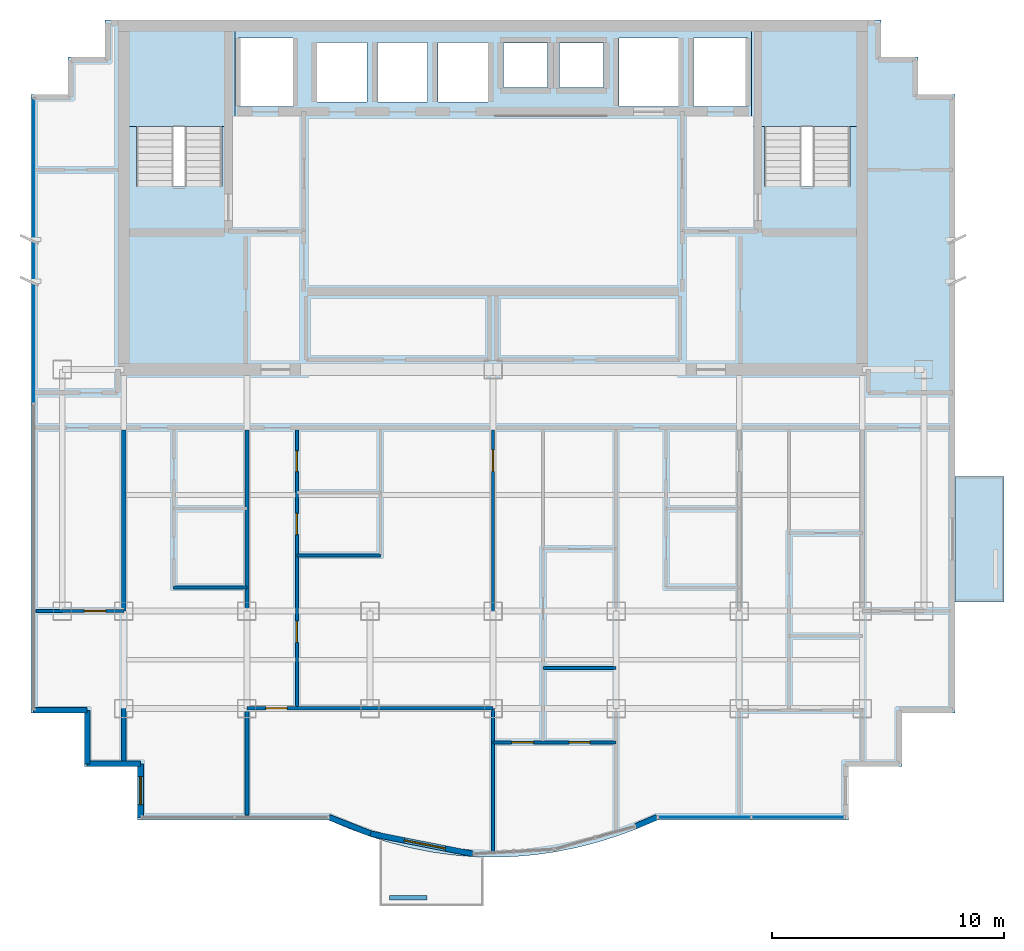
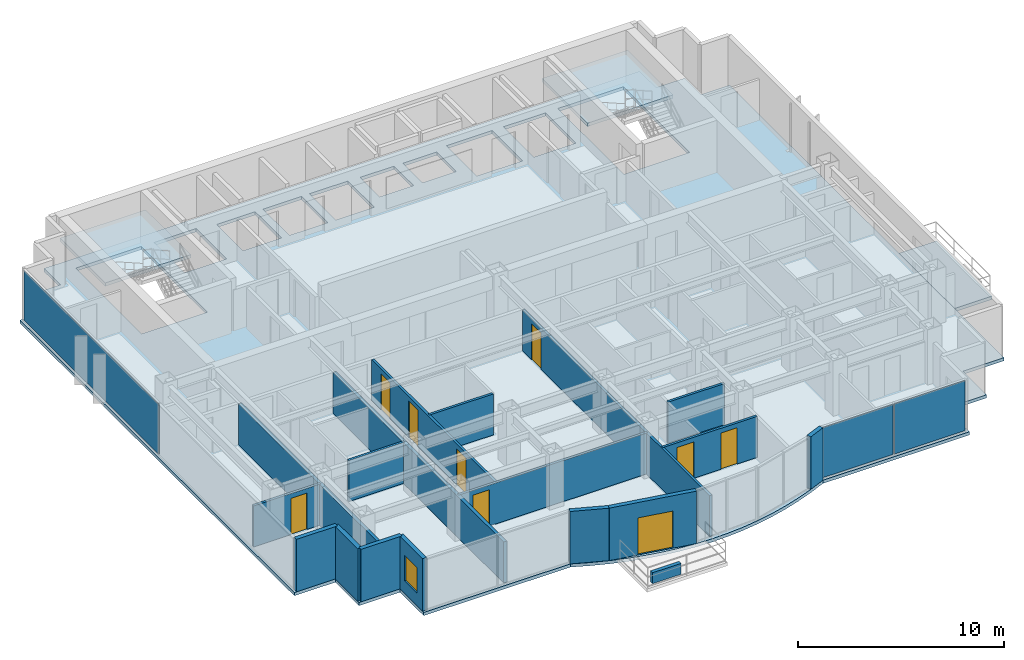
# One storey, part 6 of 11: 18 walls, 9 doors, 4 slabs, 3 plates, 1 window, 10 openings, 4 elements without a shape of their own.
"""IFC4 building model written with IfcOpenShell, lengths in metres."""

from ifc_helpers import new_model, si_unit, direction, frame, frame_2d, origin, origin_2d, place, context, subcontext, project, spatial, polyline, rectangle, outline, extrude, source, transform, mapped, material, layer, layer_set, type_object, element, fill, aggregate, save


model = new_model("IFC4")

# Units and contexts
model_context = context("Model", 3, precision=1e-05, world=origin(), true_north=direction((0.0, 1.0)))
body_context = subcontext(model_context, "Body", "Model", "MODEL_VIEW")
ifc_project = project(units=[si_unit("LENGTHUNIT", "METRE"), si_unit("AREAUNIT", "SQUARE_METRE"), si_unit("VOLUMEUNIT", "CUBIC_METRE"), si_unit("PLANEANGLEUNIT", "RADIAN"), si_unit("MASSUNIT", "GRAM", prefix="KILO")], contexts=[model_context])

# Site, building, storey
site_placement = place(None, origin())
site = spatial("IfcSite", under=ifc_project, at=site_placement, CompositionType="ELEMENT")
building_placement = place(site_placement, origin())
building = spatial("IfcBuilding", under=site, at=building_placement, Name="Qianlan Lanfeng Residences", CompositionType="ELEMENT")
storey_placement = place(building_placement, frame((0.0, 0.0, 203.300048828125)))
storey = spatial("IfcBuildingStorey", under=building, at=storey_placement, Name="L55", CompositionType="ELEMENT", Elevation=203.300048828125)

# Slabs
ifc_material_1 = material(Name="Concrete C42", Category="concrete")
ifc_layer_1 = layer(ifc_material_1, 0.199951171875)
ifc_layer_set_1 = layer_set([ifc_layer_1], Name="Concrete C42")
slab_type_1 = type_object("IfcSlabType", Name="S-BAL-200", PredefinedType="FLOOR", material=ifc_layer_set_1)
slab_1_placement = place(storey_placement, frame((0.0, 0.0, -0.199951171875)))
element("IfcSlab", 1, at=slab_1_placement, inside=storey, type_object=slab_type_1, Name="L55 Planted Tree Balcony Slab EB-S", PredefinedType="FLOOR", context=body_context, shape_type="SweptSolid", body=[
    extrude(outline(polyline([(46.39990234375, 20.60009765625), (46.39990234375, 15.199951171875), (48.5, 15.199951171875), (48.5, 20.60009765625), (46.39990234375, 20.60009765625)])), origin(), (0.0, 0.0, 1.0), 0.199951171875),
])
ifc_layer_2 = layer(ifc_material_1, 0.18994140625)
ifc_layer_set_2 = layer_set([ifc_layer_2], Name="Concrete C42")
slab_type_2 = type_object("IfcSlabType", Name="S-FL-190", PredefinedType="FLOOR", material=ifc_layer_set_2)
slab_2_placement = place(storey_placement, frame((0.0, 0.0, -0.18994140625)))
element("IfcSlab", 2, at=slab_2_placement, inside=storey, type_object=slab_type_2, Name="L55 Structural Floor Slab", PredefinedType="FLOOR", context=body_context, shape_type="SweptSolid", body=[
    extrude(outline(polyline([(6.60009765625, 10.39990234375), (8.89990234375, 10.39990234375), (8.89990234375, 8.10009765625), (11.199951171875, 8.10009765625), (11.199951171875, 5.800048828125), (19.419921875, 5.800048828125), (20.304931640625, 5.425048828125), (21.18994140625, 5.10009765625), (22.074951171875, 4.824951171875), (22.9599609375, 4.60009765625), (23.844970703125, 4.425048828125), (24.72998046875, 4.300048828125), (25.614990234375, 4.22509765625), (26.5, 4.199951171875), (27.385009765625, 4.22509765625), (28.27001953125, 4.300048828125), (29.155029296875, 4.425048828125), (30.0400390625, 4.60009765625), (30.925048828125, 4.824951171875), (31.81005859375, 5.10009765625), (32.695068359375, 5.425048828125), (33.580078125, 5.800048828125), (41.800048828125, 5.800048828125), (41.800048828125, 8.10009765625), (44.10009765625, 8.10009765625), (44.10009765625, 10.39990234375), (46.39990234375, 10.39990234375), (46.39990234375, 37.050048828125), (44.800048828125, 37.050048828125), (44.800048828125, 38.64990234375), (43.199951171875, 38.64990234375), (43.199951171875, 40.25), (9.800048828125, 40.25), (9.800048828125, 38.64990234375), (8.199951171875, 38.64990234375), (8.199951171875, 37.050048828125), (6.60009765625, 37.050048828125), (6.60009765625, 10.39990234375)]), holes=[polyline([(11.139892578125, 33.080078125), (11.139892578125, 39.5), (14.820068359375, 39.5), (14.820068359375, 33.080078125), (11.139892578125, 33.080078125)]), polyline([(38.179931640625, 33.080078125), (38.179931640625, 39.5), (41.860107421875, 39.5), (41.860107421875, 33.080078125), (38.179931640625, 33.080078125)]), polyline([(15.52001953125, 36.52001953125), (15.52001953125, 39.47998046875), (17.8798828125, 39.47998046875), (17.8798828125, 36.52001953125), (15.52001953125, 36.52001953125)]), polyline([(35.1201171875, 36.52001953125), (35.1201171875, 39.47998046875), (37.47998046875, 39.47998046875), (37.47998046875, 36.52001953125), (35.1201171875, 36.52001953125)]), polyline([(31.919921875, 36.52001953125), (31.919921875, 39.47998046875), (34.47998046875, 39.47998046875), (34.47998046875, 36.52001953125), (31.919921875, 36.52001953125)]), polyline([(18.919921875, 36.719970703125), (18.919921875, 39.280029296875), (21.080078125, 39.280029296875), (21.080078125, 36.719970703125), (18.919921875, 36.719970703125)]), polyline([(21.52001953125, 36.719970703125), (21.52001953125, 39.280029296875), (23.679931640625, 39.280029296875), (23.679931640625, 36.719970703125), (21.52001953125, 36.719970703125)]), polyline([(24.1201171875, 36.719970703125), (24.1201171875, 39.280029296875), (26.280029296875, 39.280029296875), (26.280029296875, 36.719970703125), (24.1201171875, 36.719970703125)]), polyline([(26.949951171875, 37.35009765625), (26.949951171875, 39.25), (28.85009765625, 39.25), (28.85009765625, 37.35009765625), (26.949951171875, 37.35009765625)]), polyline([(29.35009765625, 37.35009765625), (29.35009765625, 39.25), (31.25, 39.25), (31.25, 37.35009765625), (29.35009765625, 37.35009765625)])]), origin(), (0.0, 0.0, 1.0), 0.18994140625),
])

# Stair, slab
stair_type = type_object("IfcStairType", Name="STR-MAIN", PredefinedType="HALF_TURN_STAIR", material=ifc_material_1)
stair_1_placement = place(storey_placement, origin())
stair_1 = element("IfcStair", 3, at=stair_1_placement, inside=storey, type_object=stair_type, Name="L55 Exit Stair ST-1", PredefinedType="HALF_TURN_STAIR")
ifc_layer_3 = layer(ifc_material_1, 0.179931640625)
ifc_layer_set_3 = layer_set([ifc_layer_3], Name="Concrete C42")
slab_type_3 = type_object("IfcSlabType", Name="S-LND-180", PredefinedType="LANDING", material=ifc_layer_set_3)
slab_3_placement = place(storey_placement, frame((0.0, 0.0, 1.449951171875)))
slab_3 = element("IfcSlab", 4, at=slab_3_placement, type_object=slab_type_3, Name="ST-1 landing 1", PredefinedType="LANDING", context=body_context, shape_type="SweptSolid", body=[
    extrude(outline(polyline([(10.580078125, 35.659912109375), (15.3798828125, 35.659912109375), (15.3798828125, 40.050048828125), (10.580078125, 40.050048828125), (10.580078125, 35.659912109375)])), origin(), (0.0, 0.0, 1.0), 0.199951171875),
])
aggregate(stair_1, [slab_3])

stair_2_placement = place(storey_placement, origin())
stair_2 = element("IfcStair", 5, at=stair_2_placement, inside=storey, type_object=stair_type, Name="L55 Exit Stair ST-2", PredefinedType="HALF_TURN_STAIR")
slab_4_placement = place(storey_placement, frame((0.0, 0.0, 1.449951171875)))
slab_4 = element("IfcSlab", 6, at=slab_4_placement, type_object=slab_type_3, Name="ST-2 landing 1", PredefinedType="LANDING", context=body_context, shape_type="SweptSolid", body=[
    extrude(outline(polyline([(37.6201171875, 35.659912109375), (42.419921875, 35.659912109375), (42.419921875, 40.050048828125), (37.6201171875, 40.050048828125), (37.6201171875, 35.659912109375)])), origin(), (0.0, 0.0, 1.0), 0.199951171875),
])
aggregate(stair_2, [slab_4])

# Curtain wall, plate
ifc_material_2 = material(Name="Anodised Bronze Aluminium 6063-T6", Category="aluminium")
ifc_layer_4 = layer(ifc_material_2, 0.219970703125)
ifc_layer_set_4 = layer_set([ifc_layer_4], Name="Anodised Bronze Aluminium 6063-T6")
curtain_wall_type = type_object("IfcCurtainWallType", Name="CW-05", PredefinedType="NOTDEFINED", material=ifc_layer_set_4)
curtain_wall_1_placement = place(storey_placement, origin())
curtain_wall_1 = element("IfcCurtainWall", 7, at=curtain_wall_1_placement, inside=storey, type_object=curtain_wall_type, Name="L55 Unitised Curtain Wall CWR-L55-04 (CW-05)", PredefinedType="NOTDEFINED")
ifc_material_3 = material(Name="Dark Bronze Tinted Insulated Glass", Category="glass")
ifc_layer_5 = layer(ifc_material_3, 0.0380859375)
ifc_layer_set_5 = layer_set([ifc_layer_5], Name="Dark Bronze Tinted Insulated Glass")
plate_type_1 = type_object("IfcPlateType", Name="PNL-GLZ-BRZ", PredefinedType="CURTAIN_PANEL", material=ifc_layer_set_5)
shared_shape_1 = source(origin(), body_context, "Body", "SweptSolid", [
    extrude(rectangle(XDim=3.951416015625, YDim=0.0380859375, at=origin_2d()), origin(), (0.0, 0.0, 1.0), 2.9619140625),
])
plate_1_placement = place(storey_placement, frame((35.605712890625, 5.919921875, 0.073974609375), z_axis=(0.0, 0.0, 1.0), x_axis=(1.0, 0.0, 0.0)))
plate_1 = element("IfcPlate", 8, at=plate_1_placement, type_object=plate_type_1, Name="CWR-L55-04 Curtain Panel 1", PredefinedType="CURTAIN_PANEL", context=body_context, shape_type="MappedRepresentation", body=[
    mapped(shared_shape_1, transform((0.0, 0.0, 0.0), scale=1.0)),
])

curtain_wall_2_placement = place(storey_placement, origin())
curtain_wall_2 = element("IfcCurtainWall", 9, at=curtain_wall_2_placement, inside=storey, type_object=curtain_wall_type, Name="L55 Unitised Curtain Wall CWR-L55-05 (CW-05)", PredefinedType="NOTDEFINED")
shared_shape_2 = source(origin(), body_context, "Body", "SweptSolid", [
    extrude(rectangle(XDim=13.094482421875, YDim=0.0380859375, at=origin_2d()), origin(), (0.0, 0.0, 1.0), 2.9619140625),
])
plate_2_placement = place(storey_placement, frame((6.719970703125, 30.30859375, 0.073974609375), z_axis=(0.0, 0.0, 1.0), x_axis=(0.0, -1.0, 0.0)))
plate_2 = element("IfcPlate", 10, at=plate_2_placement, type_object=plate_type_1, Name="CWR-L55-05 Curtain Panel 1", PredefinedType="CURTAIN_PANEL", context=body_context, shape_type="MappedRepresentation", body=[
    mapped(shared_shape_2, transform((0.0, 0.0, 0.0), scale=1.0)),
])
aggregate(curtain_wall_2, [plate_2])

# Plate
ifc_material_4 = material(Name="Perforated Anodised Bronze Aluminium Panel", Category="aluminium")
ifc_layer_6 = layer(ifc_material_4, 0.0419921875)
ifc_layer_set_6 = layer_set([ifc_layer_6], Name="Perforated Anodised Bronze Aluminium Panel")
plate_type_2 = type_object("IfcPlateType", Name="PNL-PRF-BRZ", PredefinedType="CURTAIN_PANEL", material=ifc_layer_set_6)
shared_shape_3 = source(origin(), body_context, "Body", "SweptSolid", [
    extrude(rectangle(XDim=3.951416015625, YDim=0.0419921875, at=origin_2d()), origin(), (0.0, 0.0, 1.0), 2.9619140625),
])
plate_3_placement = place(storey_placement, frame((39.630126953125, 5.919921875, 0.073974609375), z_axis=(0.0, 0.0, 1.0), x_axis=(1.0, 0.0, 0.0)))
plate_3 = element("IfcPlate", 11, at=plate_3_placement, type_object=plate_type_2, Name="CWR-L55-04 Curtain Panel 2", PredefinedType="CURTAIN_PANEL", context=body_context, shape_type="MappedRepresentation", body=[
    mapped(shared_shape_3, transform((0.0, 0.0, 0.0), scale=1.0)),
])

aggregate(curtain_wall_1, [plate_1, plate_3])

# Walls
ifc_layer_7 = layer(ifc_material_1, 0.239990234375)
ifc_layer_set_7 = layer_set([ifc_layer_7], Name="Concrete C42")
wall_type_1 = type_object("IfcWallType", Name="EW-240", PredefinedType="SOLIDWALL", material=ifc_layer_set_7)
for number, where, z_axis, x_axis, name in (
    (12, (6.719970703125, 10.52001953125, 0.0), (0.0, 0.0, 1.0), (1.0, 0.0, 0.0), "L55 Exterior Facade Spandrel Wall 1"),
    (13, (9.02001953125, 10.52001953125, 0.0), (0.0, 0.0, 1.0), (0.0, -1.0, 0.0), "L55 Exterior Facade Spandrel Wall 2"),
    (14, (9.02001953125, 8.219970703125, 0.0), (0.0, 0.0, 1.0), (1.0, 0.0, 0.0), "L55 Exterior Facade Spandrel Wall 3"),
):
    element("IfcWall", number, at=place(storey_placement, frame(where, z_axis=z_axis, x_axis=x_axis)), inside=storey, type_object=wall_type_1, Name=name, PredefinedType="SOLIDWALL", context=body_context, shape_type="SweptSolid", body=[
        extrude(rectangle(XDim=2.300048828125, YDim=0.239990234375, at=frame_2d((1.14990234375, 0.0))), origin(), (0.0, 0.0, 1.0), 3.10986328125),
    ])

# Wall, opening, window
wall_1_placement = place(storey_placement, frame((11.320068359375, 8.219970703125, 0.0), z_axis=(0.0, 0.0, 1.0), x_axis=(0.0, -1.0, 0.0)))
wall_1 = element("IfcWall", 15, at=wall_1_placement, inside=storey, type_object=wall_type_1, Name="L55 Exterior Facade Spandrel Wall 4", PredefinedType="SOLIDWALL", context=body_context, shape_type="SweptSolid", body=[
    extrude(rectangle(XDim=2.300048828125, YDim=0.239990234375, at=frame_2d((1.14990234375, 0.0))), origin(), (0.0, 0.0, 1.0), 3.10986328125),
])
opening_1_placement = place(wall_1_placement, frame((0.550048828125, 0.0, 0.75)))
opening_1 = element("IfcOpeningElement", 16, at=opening_1_placement, cuts=wall_1, Name="Opening W-03", PredefinedType="OPENING", context=body_context, shape_type="SweptSolid", body=[
    extrude(rectangle(XDim=1.199951171875, YDim=1.5, at=frame_2d((0.60009765625, 0.75))), frame((0.0, 0.1298828125, 0.0), z_axis=(0.0, -1.0, 0.0), x_axis=(1.0, 0.0, 0.0)), (0.0, 0.0, 1.0), 0.260009765625),
])
ifc_material_5 = material(Name="Anodised Bronze Aluminium Framed Double Glazing", Category="aluminium")
window_type = type_object("IfcWindowType", Name="W-03", PartitioningType="SINGLE_PANEL", PredefinedType="WINDOW", material=ifc_material_5)
window_placement = place(opening_1_placement, origin())
window = element("IfcWindow", 17, at=window_placement, inside=storey, type_object=window_type, Name="L55 Facade Punched Window W-03", OverallHeight=1.5, OverallWidth=1.199951171875, PartitioningType="SINGLE_PANEL", PredefinedType="WINDOW", context=body_context, shape_type="SweptSolid", body=[
    extrude(rectangle(XDim=1.199951171875, YDim=1.5, at=frame_2d((0.60009765625, 0.75))), frame((0.0, 0.030029296875, 0.0), z_axis=(0.0, -1.0, 0.0), x_axis=(1.0, 0.0, 0.0)), (0.0, 0.0, 1.0), 0.06005859375),
])
fill(opening_1, window)

# Wall
wall_2_placement = place(storey_placement, frame((19.444091796875, 5.919921875, 0.0), z_axis=(0.0, 0.0, 1.0), x_axis=(0.92993442177, -0.367725401906, 0.0)))
element("IfcWall", 18, at=wall_2_placement, inside=storey, type_object=wall_type_1, Name="L55 Exterior Facade Spandrel Wall 5", PredefinedType="SOLIDWALL", context=body_context, shape_type="SweptSolid", body=[
    extrude(rectangle(XDim=1.91943359375, YDim=0.239990234375, at=frame_2d((0.959716796875, 0.0))), origin(), (0.0, 0.0, 1.0), 3.10986328125),
])

# Wall, opening, door
wall_3_placement = place(storey_placement, frame((21.22900390625, 5.214111328125, 0.0), z_axis=(0.0, 0.0, 1.0), x_axis=(0.980985349685, -0.194081796425, 0.0)))
wall_3 = element("IfcWall", 19, at=wall_3_placement, inside=storey, type_object=wall_type_1, Name="L55 Terrace/Balcony Access Exterior Wall 6", PredefinedType="SOLIDWALL", context=body_context, shape_type="SweptSolid", body=[
    extrude(rectangle(XDim=4.478271484375, YDim=0.239990234375, at=frame_2d((2.2392578125, 0.0))), origin(), (0.0, 0.0, 1.0), 3.10986328125),
])
opening_2_placement = place(wall_3_placement, frame((1.472900390625, 0.0, 0.0)))
opening_2 = element("IfcOpeningElement", 20, at=opening_2_placement, cuts=wall_3, Name="Opening L55-D-SB-C", PredefinedType="OPENING", context=body_context, shape_type="SweptSolid", body=[
    extrude(rectangle(XDim=1.800048828125, YDim=2.199951171875, at=frame_2d((0.89990234375, 1.10009765625))), frame((0.0, 0.1298828125, 0.0), z_axis=(0.0, -1.0, 0.0), x_axis=(1.0, 0.0, 0.0)), (0.0, 0.0, 1.0), 0.260009765625),
])
ifc_material_6 = material(Name="Anodised Bronze Aluminium Framed Glass", Category="aluminium")
door_type_1 = type_object("IfcDoorType", Name="DT-BAL1", OperationType="NOTDEFINED", PredefinedType="DOOR", material=ifc_material_6)
door_1_placement = place(opening_2_placement, frame((1.800048828125, 0.0, 0.0), z_axis=(0.0, 0.0, 1.0), x_axis=(-1.0, 0.0, 0.0)))
door_1 = element("IfcDoor", 21, at=door_1_placement, inside=storey, type_object=door_type_1, Name="L55 Exterior Access Door SB-C", OperationType="DOUBLE_DOOR_SLIDING", OverallHeight=2.199951171875, OverallWidth=1.800048828125, PredefinedType="DOOR", context=body_context, shape_type="SweptSolid", body=[
    extrude(rectangle(XDim=1.800048828125, YDim=2.199951171875, at=frame_2d((0.89990234375, 1.10009765625))), frame((0.0, 0.02490234375, 0.0), z_axis=(0.0, -1.0, 0.0), x_axis=(1.0, 0.0, 0.0)), (0.0, 0.0, 1.0), 0.050048828125),
])
fill(opening_2, door_1)

# Walls
wall_4_placement = place(storey_placement, frame((32.65087890625, 5.537109375, 0.0), z_axis=(0.0, 0.0, 1.0), x_axis=(0.920998109395, 0.389567044924, 0.0)))
element("IfcWall", 22, at=wall_4_placement, inside=storey, type_object=wall_type_1, Name="L55 Exterior Facade Spandrel Wall 7", PredefinedType="SOLIDWALL", context=body_context, shape_type="SweptSolid", body=[
    extrude(rectangle(XDim=0.982666015625, YDim=0.239990234375, at=frame_2d((0.4912109375, 0.0))), origin(), (0.0, 0.0, 1.0), 3.10986328125),
])
ifc_layer_8 = layer(ifc_material_1, 0.199951171875)
ifc_layer_set_8 = layer_set([ifc_layer_8], Name="Concrete C42")
wall_type_2 = type_object("IfcWallType", Name="PL-TREE-200", PredefinedType="PARAPET", material=ifc_layer_set_8)
wall_5_placement = place(storey_placement, frame((22.050048828125, 2.449951171875, 0.0), z_axis=(0.0, 0.0, 1.0), x_axis=(1.0, 0.0, 0.0)))
element("IfcWall", 23, at=wall_5_placement, inside=storey, type_object=wall_type_2, Name="L55 Balcony Tree Planter Curb SB-C", PredefinedType="PARAPET", context=body_context, shape_type="SweptSolid", body=[
    extrude(rectangle(XDim=1.599853515625, YDim=0.199951171875, at=frame_2d((0.7998046875, 0.0))), origin(), (0.0, 0.0, 1.0), 0.64990234375),
])
ifc_material_7 = material(Name="Moisture-Resistant Gypsum Partition 135 mm")
ifc_layer_9 = layer(ifc_material_7, 0.135009765625)
ifc_layer_set_9 = layer_set([ifc_layer_9], Name="Moisture-Resistant Gypsum Partition 135 mm")
wall_type_3 = type_object("IfcWallType", Name="PW-135", PredefinedType="PARTITIONING", material=ifc_layer_set_9)
wall_6_placement = place(storey_placement, frame((12.75, 15.820068359375, 0.0), z_axis=(0.0, 0.0, 1.0), x_axis=(1.0, 0.0, 0.0)))
element("IfcWall", 24, at=wall_6_placement, inside=storey, type_object=wall_type_3, Name="L55 U01 Kitchen South Wall", PredefinedType="PARTITIONING", context=body_context, shape_type="SweptSolid", body=[
    extrude(rectangle(XDim=3.14990234375, YDim=0.135009765625, at=frame_2d((1.574951171875, 0.0))), origin(), (0.0, 0.0, 1.0), 2.429931640625),
])

# Wall, opening, door
wall_7_placement = place(storey_placement, frame((26.5, 4.419921875, 0.0), z_axis=(0.0, 0.0, 1.0), x_axis=(0.0, 1.0, 0.0)))
wall_7 = element("IfcWall", 25, at=wall_7_placement, inside=storey, type_object=wall_type_3, Name="L55 U02 Bay Spine Wall 1", PredefinedType="PARTITIONING", context=body_context, shape_type="SweptSolid", body=[
    extrude(rectangle(XDim=18.18017578125, YDim=0.135009765625, at=frame_2d((9.090087890625, 0.0))), origin(), (0.0, 0.0, 1.0), 2.429931640625),
])
opening_3_placement = place(wall_7_placement, frame((16.39501953125, 0.0, 0.0)))
opening_3 = element("IfcOpeningElement", 26, at=opening_3_placement, cuts=wall_7, Name="Opening L55-D19", PredefinedType="OPENING", context=body_context, shape_type="SweptSolid", body=[
    extrude(rectangle(XDim=0.919921875, YDim=2.14990234375, at=frame_2d((0.4599609375, 1.074951171875))), frame((0.0, 0.07763671875, 0.0), z_axis=(0.0, -1.0, 0.0), x_axis=(1.0, 0.0, 0.0)), (0.0, 0.0, 1.0), 0.155029296875),
])
ifc_material_8 = material(Name="Glazed Timber Kitchen/Study Door", Category="wood")
door_type_2 = type_object("IfcDoorType", Name="DT-INT", OperationType="NOTDEFINED", PredefinedType="DOOR", material=ifc_material_8)
door_2_placement = place(opening_3_placement, origin())
door_2 = element("IfcDoor", 27, at=door_2_placement, inside=storey, type_object=door_type_2, Name="L55 U02 Internal Hall Door L55-D19 (DT-INT)", OperationType="SINGLE_SWING_LEFT", OverallHeight=2.14990234375, OverallWidth=0.919921875, PredefinedType="DOOR", context=body_context, shape_type="SweptSolid", body=[
    extrude(rectangle(XDim=0.919921875, YDim=2.14990234375, at=frame_2d((0.4599609375, 1.074951171875))), frame((0.0, 0.02490234375, 0.0), z_axis=(0.0, -1.0, 0.0), x_axis=(1.0, 0.0, 0.0)), (0.0, 0.0, 1.0), 0.050048828125),
])
fill(opening_3, door_2)

wall_8_placement = place(storey_placement, frame((15.89990234375, 10.614013671875, 0.0), z_axis=(0.0, 0.0, 1.0), x_axis=(1.0, 0.0, 0.0)))
wall_8 = element("IfcWall", 28, at=wall_8_placement, inside=storey, type_object=wall_type_3, Name="L55 U02 Living Divider", PredefinedType="PARTITIONING", context=body_context, shape_type="SweptSolid", body=[
    extrude(rectangle(XDim=10.60009765625, YDim=0.135009765625, at=frame_2d((5.300048828125, 0.0))), origin(), (0.0, 0.0, 1.0), 2.429931640625),
])
opening_4_placement = place(wall_8_placement, frame((0.81494140625, 0.0, 0.0)))
opening_4 = element("IfcOpeningElement", 29, at=opening_4_placement, cuts=wall_8, Name="Opening L55-D20", PredefinedType="OPENING", context=body_context, shape_type="SweptSolid", body=[
    extrude(rectangle(XDim=0.919921875, YDim=2.14990234375, at=frame_2d((0.4599609375, 1.074951171875))), frame((0.0, 0.07763671875, 0.0), z_axis=(0.0, -1.0, 0.0), x_axis=(1.0, 0.0, 0.0)), (0.0, 0.0, 1.0), 0.155029296875),
])
door_3_placement = place(opening_4_placement, origin())
door_3 = element("IfcDoor", 30, at=door_3_placement, inside=storey, type_object=door_type_2, Name="L55 U02 Living Passage Door L55-D20 (DT-INT)", OperationType="SINGLE_SWING_RIGHT", OverallHeight=2.14990234375, OverallWidth=0.919921875, PredefinedType="DOOR", context=body_context, shape_type="SweptSolid", body=[
    extrude(rectangle(XDim=0.919921875, YDim=2.14990234375, at=frame_2d((0.4599609375, 1.074951171875))), frame((0.0, 0.02490234375, 0.0), z_axis=(0.0, -1.0, 0.0), x_axis=(1.0, 0.0, 0.0)), (0.0, 0.0, 1.0), 0.050048828125),
])
fill(opening_4, door_3)

# Wall, openings, doors
wall_9_placement = place(storey_placement, frame((18.050048828125, 10.614013671875, 0.0), z_axis=(0.0, 0.0, 1.0), x_axis=(0.0, 1.0, 0.0)))
wall_9 = element("IfcWall", 31, at=wall_9_placement, inside=storey, type_object=wall_type_3, Name="L55 U02 Entry Hall Spine", PredefinedType="PARTITIONING", context=body_context, shape_type="SweptSolid", body=[
    extrude(rectangle(XDim=11.986083984375, YDim=0.135009765625, at=frame_2d((5.9931640625, 0.0))), origin(), (0.0, 0.0, 1.0), 2.429931640625),
])
opening_5_placement = place(wall_9_placement, frame((2.8330078125, 0.0, 0.0)))
opening_5 = element("IfcOpeningElement", 32, at=opening_5_placement, cuts=wall_9, Name="Opening L55-D21", PredefinedType="OPENING", context=body_context, shape_type="SweptSolid", body=[
    extrude(rectangle(XDim=0.919921875, YDim=2.14990234375, at=frame_2d((0.4599609375, 1.074951171875))), frame((0.0, 0.07763671875, 0.0), z_axis=(0.0, -1.0, 0.0), x_axis=(1.0, 0.0, 0.0)), (0.0, 0.0, 1.0), 0.155029296875),
])
opening_6_placement = place(wall_9_placement, frame((7.47607421875, 0.0, 0.0)))
opening_6 = element("IfcOpeningElement", 33, at=opening_6_placement, cuts=wall_9, Name="Opening L55-D22", PredefinedType="OPENING", context=body_context, shape_type="SweptSolid", body=[
    extrude(rectangle(XDim=0.919921875, YDim=2.14990234375, at=frame_2d((0.4599609375, 1.074951171875))), frame((0.0, 0.07763671875, 0.0), z_axis=(0.0, -1.0, 0.0), x_axis=(1.0, 0.0, 0.0)), (0.0, 0.0, 1.0), 0.155029296875),
])
opening_7_placement = place(wall_9_placement, frame((10.18603515625, 0.0, 0.0)))
opening_7 = element("IfcOpeningElement", 34, at=opening_7_placement, cuts=wall_9, Name="Opening L55-D23", PredefinedType="OPENING", context=body_context, shape_type="SweptSolid", body=[
    extrude(rectangle(XDim=0.89990234375, YDim=2.14990234375, at=frame_2d((0.449951171875, 1.074951171875))), frame((0.0, 0.07763671875, 0.0), z_axis=(0.0, -1.0, 0.0), x_axis=(1.0, 0.0, 0.0)), (0.0, 0.0, 1.0), 0.155029296875),
])
door_4_placement = place(opening_5_placement, origin())
door_4 = element("IfcDoor", 35, at=door_4_placement, inside=storey, type_object=door_type_2, Name="L55 U02 Study Door L55-D21 (DT-INT)", OperationType="SINGLE_SWING_LEFT", OverallHeight=2.14990234375, OverallWidth=0.919921875, PredefinedType="DOOR", context=body_context, shape_type="SweptSolid", body=[
    extrude(rectangle(XDim=0.919921875, YDim=2.14990234375, at=frame_2d((0.4599609375, 1.074951171875))), frame((0.0, 0.02490234375, 0.0), z_axis=(0.0, -1.0, 0.0), x_axis=(1.0, 0.0, 0.0)), (0.0, 0.0, 1.0), 0.050048828125),
])
fill(opening_5, door_4)
door_5_placement = place(opening_6_placement, origin())
door_5 = element("IfcDoor", 36, at=door_5_placement, inside=storey, type_object=door_type_2, Name="L55 U02 Kitchen Door L55-D22 (DT-INT)", OperationType="SINGLE_SWING_RIGHT", OverallHeight=2.14990234375, OverallWidth=0.919921875, PredefinedType="DOOR", context=body_context, shape_type="SweptSolid", body=[
    extrude(rectangle(XDim=0.919921875, YDim=2.14990234375, at=frame_2d((0.4599609375, 1.074951171875))), frame((0.0, 0.02490234375, 0.0), z_axis=(0.0, -1.0, 0.0), x_axis=(1.0, 0.0, 0.0)), (0.0, 0.0, 1.0), 0.050048828125),
])
fill(opening_6, door_5)
ifc_material_9 = material(Name="Moisture-Resistant Timber Leaf", Category="wood")
door_type_3 = type_object("IfcDoorType", Name="DT-WC", OperationType="NOTDEFINED", PredefinedType="DOOR", material=ifc_material_9)
door_6_placement = place(opening_7_placement, origin())
door_6 = element("IfcDoor", 37, at=door_6_placement, inside=storey, type_object=door_type_3, Name="L55 U02 Bathroom Door L55-D23 (DT-WC)", OperationType="SINGLE_SWING_LEFT", OverallHeight=2.14990234375, OverallWidth=0.89990234375, PredefinedType="DOOR", context=body_context, shape_type="SweptSolid", body=[
    extrude(rectangle(XDim=0.89990234375, YDim=2.14990234375, at=frame_2d((0.449951171875, 1.074951171875))), frame((0.0, 0.02490234375, 0.0), z_axis=(0.0, -1.0, 0.0), x_axis=(1.0, 0.0, 0.0)), (0.0, 0.0, 1.0), 0.050048828125),
])
fill(opening_7, door_6)

# Wall
wall_10_placement = place(storey_placement, frame((18.050048828125, 17.199951171875, 0.0), z_axis=(0.0, 0.0, 1.0), x_axis=(1.0, 0.0, 0.0)))
element("IfcWall", 38, at=wall_10_placement, inside=storey, type_object=wall_type_3, Name="L55 U02 Kitchen South Wall", PredefinedType="PARTITIONING", context=body_context, shape_type="SweptSolid", body=[
    extrude(rectangle(XDim=3.599853515625, YDim=0.135009765625, at=frame_2d((1.7998046875, 0.0))), origin(), (0.0, 0.0, 1.0), 2.429931640625),
])

# Wall, openings, doors
wall_11_placement = place(storey_placement, frame((26.5, 9.14794921875, 0.0), z_axis=(0.0, 0.0, 1.0), x_axis=(1.0, 0.0, 0.0)))
wall_11 = element("IfcWall", 39, at=wall_11_placement, inside=storey, type_object=wall_type_3, Name="L55 U02 Master Bedroom North Wall", PredefinedType="PARTITIONING", context=body_context, shape_type="SweptSolid", body=[
    extrude(rectangle(XDim=5.300048828125, YDim=0.135009765625, at=frame_2d((2.64990234375, 0.0))), origin(), (0.0, 0.0, 1.0), 2.429931640625),
])
opening_8_placement = place(wall_11_placement, frame((0.800048828125, 0.0, 0.0)))
opening_8 = element("IfcOpeningElement", 40, at=opening_8_placement, cuts=wall_11, Name="Opening L55-D24", PredefinedType="OPENING", context=body_context, shape_type="SweptSolid", body=[
    extrude(rectangle(XDim=0.949951171875, YDim=2.14990234375, at=frame_2d((0.47509765625, 1.074951171875))), frame((0.0, 0.07763671875, 0.0), z_axis=(0.0, -1.0, 0.0), x_axis=(1.0, 0.0, 0.0)), (0.0, 0.0, 1.0), 0.155029296875),
])
opening_9_placement = place(wall_11_placement, frame((3.27490234375, 0.0, 0.0)))
opening_9 = element("IfcOpeningElement", 41, at=opening_9_placement, cuts=wall_11, Name="Opening L55-D25", PredefinedType="OPENING", context=body_context, shape_type="SweptSolid", body=[
    extrude(rectangle(XDim=0.89990234375, YDim=2.14990234375, at=frame_2d((0.449951171875, 1.074951171875))), frame((0.0, 0.07763671875, 0.0), z_axis=(0.0, -1.0, 0.0), x_axis=(1.0, 0.0, 0.0)), (0.0, 0.0, 1.0), 0.155029296875),
])
ifc_material_10 = material(Name="Painted Solid-Core Timber Leaf", Category="wood")
door_type_4 = type_object("IfcDoorType", Name="DT-BED", OperationType="NOTDEFINED", PredefinedType="DOOR", material=ifc_material_10)
door_7_placement = place(opening_8_placement, origin())
door_7 = element("IfcDoor", 42, at=door_7_placement, inside=storey, type_object=door_type_4, Name="L55 U02 Master Bedroom Door L55-D24 (DT-BED)", OperationType="SINGLE_SWING_LEFT", OverallHeight=2.14990234375, OverallWidth=0.949951171875, PredefinedType="DOOR", context=body_context, shape_type="SweptSolid", body=[
    extrude(rectangle(XDim=0.949951171875, YDim=2.14990234375, at=frame_2d((0.47509765625, 1.074951171875))), frame((0.0, 0.02490234375, 0.0), z_axis=(0.0, -1.0, 0.0), x_axis=(1.0, 0.0, 0.0)), (0.0, 0.0, 1.0), 0.050048828125),
])
fill(opening_8, door_7)
door_8_placement = place(opening_9_placement, origin())
door_8 = element("IfcDoor", 43, at=door_8_placement, inside=storey, type_object=door_type_3, Name="L55 U02 En-Suite Bathroom Door L55-D25 (DT-WC)", OperationType="SINGLE_SWING_LEFT", OverallHeight=2.14990234375, OverallWidth=0.89990234375, PredefinedType="DOOR", context=body_context, shape_type="SweptSolid", body=[
    extrude(rectangle(XDim=0.89990234375, YDim=2.14990234375, at=frame_2d((0.449951171875, 1.074951171875))), frame((0.0, 0.02490234375, 0.0), z_axis=(0.0, -1.0, 0.0), x_axis=(1.0, 0.0, 0.0)), (0.0, 0.0, 1.0), 0.050048828125),
])
fill(opening_9, door_8)

# Wall
wall_12_placement = place(storey_placement, frame((28.64990234375, 12.347900390625, 0.0), z_axis=(0.0, 0.0, 1.0), x_axis=(1.0, 0.0, 0.0)))
element("IfcWall", 44, at=wall_12_placement, inside=storey, type_object=wall_type_3, Name="L55 U02 En-Suite North Wall", PredefinedType="PARTITIONING", context=body_context, shape_type="SweptSolid", body=[
    extrude(rectangle(XDim=3.150146484375, YDim=0.135009765625, at=frame_2d((1.5751953125, 0.0))), origin(), (0.0, 0.0, 1.0), 2.429931640625),
])

# Wall, opening, door
wall_13_placement = place(storey_placement, frame((6.820068359375, 14.800048828125, 0.0), z_axis=(0.0, 0.0, 1.0), x_axis=(1.0, 0.0, 0.0)))
wall_13 = element("IfcWall", 45, at=wall_13_placement, inside=storey, type_object=wall_type_3, Name="L55 SWP Mid Partition", PredefinedType="PARTITIONING", context=body_context, shape_type="SweptSolid", body=[
    extrude(rectangle(XDim=3.780029296875, YDim=0.135009765625, at=frame_2d((1.89013671875, 0.0))), origin(), (0.0, 0.0, 1.0), 2.429931640625),
])
opening_10_placement = place(wall_13_placement, frame((2.080078125, 0.0, 0.0)))
opening_10 = element("IfcOpeningElement", 46, at=opening_10_placement, cuts=wall_13, Name="Opening L55-D36", PredefinedType="OPENING", context=body_context, shape_type="SweptSolid", body=[
    extrude(rectangle(XDim=0.919921875, YDim=2.14990234375, at=frame_2d((0.4599609375, 1.074951171875))), frame((0.0, 0.07763671875, 0.0), z_axis=(0.0, -1.0, 0.0), x_axis=(1.0, 0.0, 0.0)), (0.0, 0.0, 1.0), 0.155029296875),
])
door_9_placement = place(opening_10_placement, origin())
door_9 = element("IfcDoor", 47, at=door_9_placement, inside=storey, type_object=door_type_2, Name="L55 SWP Inner Door L55-D36 (DT-INT)", OperationType="SINGLE_SWING_LEFT", OverallHeight=2.14990234375, OverallWidth=0.919921875, PredefinedType="DOOR", context=body_context, shape_type="SweptSolid", body=[
    extrude(rectangle(XDim=0.919921875, YDim=2.14990234375, at=frame_2d((0.4599609375, 1.074951171875))), frame((0.0, 0.02490234375, 0.0), z_axis=(0.0, -1.0, 0.0), x_axis=(1.0, 0.0, 0.0)), (0.0, 0.0, 1.0), 0.050048828125),
])
fill(opening_10, door_9)

# Walls
ifc_material_11 = material(Name="Double-Layer Acoustic Gypsum Stud Wall 180 mm")
ifc_layer_10 = layer(ifc_material_11, 0.179931640625)
ifc_layer_set_10 = layer_set([ifc_layer_10], Name="Double-Layer Acoustic Gypsum Stud Wall 180 mm")
wall_type_4 = type_object("IfcWallType", Name="PW-180", PredefinedType="PARTITIONING", material=ifc_layer_set_10)
wall_14_placement = place(storey_placement, frame((10.60009765625, 8.320068359375, 0.0), z_axis=(0.0, 0.0, 1.0), x_axis=(0.0, 1.0, 0.0)))
element("IfcWall", 48, at=wall_14_placement, inside=storey, type_object=wall_type_4, Name="L55 Wing Boundary Party Wall W0", PredefinedType="PARTITIONING", context=body_context, shape_type="SweptSolid", body=[
    extrude(rectangle(XDim=14.280029296875, YDim=0.179931640625, at=frame_2d((7.14013671875, 0.0))), origin(), (0.0, 0.0, 1.0), 2.429931640625),
])
wall_15_placement = place(storey_placement, frame((15.89990234375, 6.02001953125, 0.0), z_axis=(0.0, 0.0, 1.0), x_axis=(0.0, 1.0, 0.0)))
element("IfcWall", 49, at=wall_15_placement, inside=storey, type_object=wall_type_4, Name="L55 Inter-Tenancy Party Wall 2", PredefinedType="PARTITIONING", context=body_context, shape_type="SweptSolid", body=[
    extrude(rectangle(XDim=16.580078125, YDim=0.179931640625, at=frame_2d((8.2900390625, 0.0))), origin(), (0.0, 0.0, 1.0), 2.429931640625),
])

save(model, "model.ifc")
